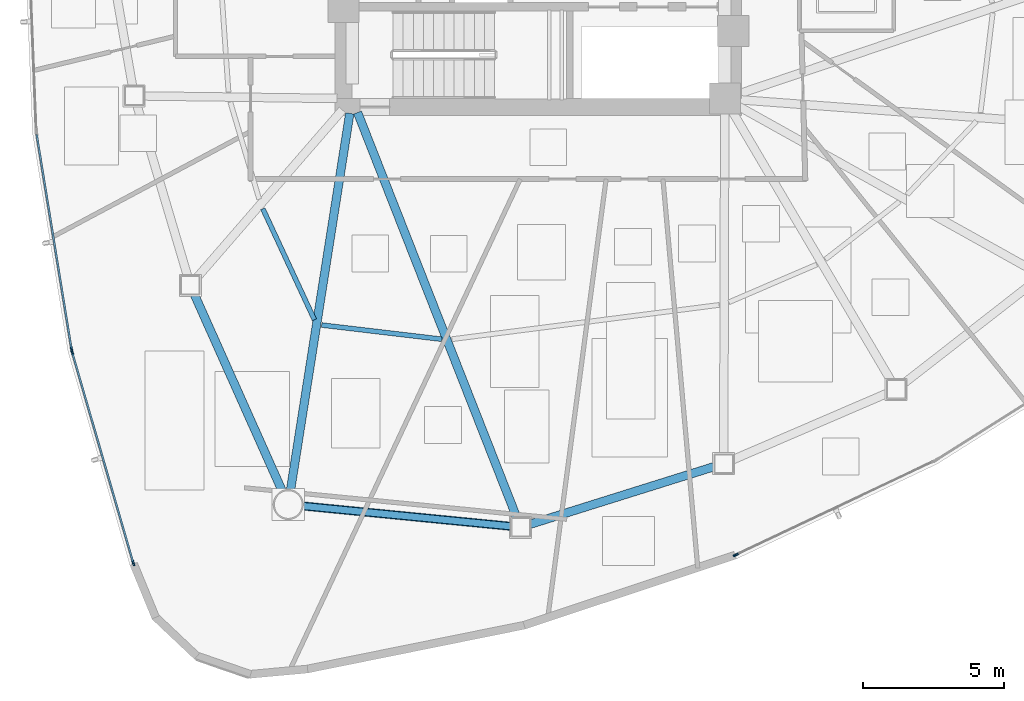
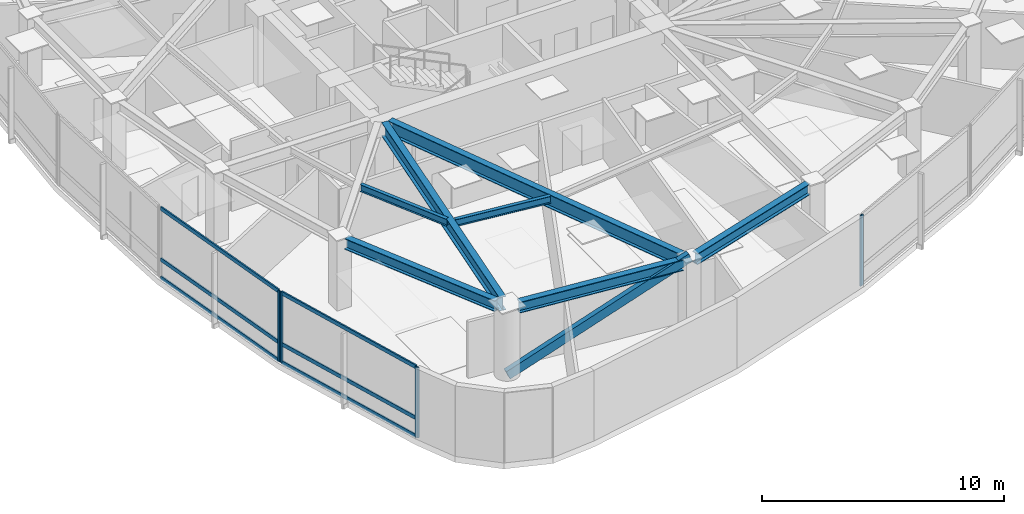
# One storey, part 2 of 17: 11 members, 7 beams, 3 elements without a shape of their own.
"""IFC4 building model written with IfcOpenShell, lengths in metres."""

import ifcopenshell
import ifcopenshell.guid

model = None  # the IFC model being written
_history = None  # IfcOwnerHistory: only IFC2X3 demands one
_inside = {}  # id of a spatial element -> (the spatial element, [elements in it])
_under = {}  # id of a project, library or spatial element -> (it, [spatial elements below it])
_declared = {}  # id of a project -> (the project, [libraries it declares])
_typed = {}  # id of a type object -> (the type object, [elements of that type])
_made_of = {}  # id of a material, layer set ... -> (it, [elements and type objects made of it])


def new_model(schema):
    """Start an empty IFC model of exactly this schema.

    Asked for "IFC4X3", IfcOpenShell would pick the latest addendum, in which some entities
    have other attributes; the version numbers below select the first issue.
    IFC2X3 requires an IfcOwnerHistory on every rooted entity: one is made here for all.
    """
    global model, _history
    if schema == "IFC4X3":
        model = ifcopenshell.file(schema_version=(4, 3, 0, 0))
    else:
        model = ifcopenshell.file(schema=schema)
    _inside.clear()
    _under.clear()
    _declared.clear()
    _typed.clear()
    _made_of.clear()
    _history = None
    if model.schema == "IFC2X3":
        org = make("IfcOrganization", Name="unknown")
        user = make(
            "IfcPersonAndOrganization",
            ThePerson=make("IfcPerson", FamilyName="unknown"),
            TheOrganization=org,
        )
        app = make(
            "IfcApplication",
            ApplicationDeveloper=org,
            Version="unknown",
            ApplicationFullName="unknown",
            ApplicationIdentifier="unknown",
        )
        _history = make(
            "IfcOwnerHistory",
            OwningUser=user,
            OwningApplication=app,
            ChangeAction="ADDED",
            CreationDate=0,
        )
    return model


def make(cls, **values):
    """One entity of the class cls with the attributes given. An attribute that is None is left unset."""
    return model.create_entity(
        cls, **{name: value for name, value in values.items() if value is not None}
    )


def rooted(cls, **values):
    """An entity with a GlobalId (a new one), such as an element, a storey or a relation."""
    return make(cls, GlobalId=ifcopenshell.guid.new(), OwnerHistory=_history, **values)


def si_unit(unit_type, name, prefix=None):
    """IfcSIUnit, for example si_unit("LENGTHUNIT", "METRE", prefix="MILLI")."""
    return make("IfcSIUnit", UnitType=unit_type, Prefix=prefix, Name=name)


def assignment(units):
    """IfcUnitAssignment: the units of a project."""
    return None if units is None else make("IfcUnitAssignment", Units=units)


def point(xyz):
    """IfcCartesianPoint."""
    return None if xyz is None else make("IfcCartesianPoint", Coordinates=xyz)


def direction(xyz):
    """IfcDirection."""
    return None if xyz is None else make("IfcDirection", DirectionRatios=xyz)


def frame(location, z_axis=None, x_axis=None):
    """IfcAxis2Placement3D, a coordinate frame: its origin and axes. An axis left out is left unset."""
    return make(
        "IfcAxis2Placement3D",
        Location=point(location),
        Axis=direction(z_axis),
        RefDirection=direction(x_axis),
    )


def frame_2d(location, x_axis=None):
    """IfcAxis2Placement2D, a coordinate frame in the plane: its origin and x axis."""
    return make(
        "IfcAxis2Placement2D", Location=point(location), RefDirection=direction(x_axis)
    )


def origin():
    """The frame at (0, 0, 0) with its axes left unset."""
    return frame((0.0, 0.0, 0.0))


def origin_2d():
    """The frame at (0, 0) in the plane with its x axis left unset."""
    return frame_2d((0.0, 0.0))


def place(relative_to, where):
    """IfcLocalPlacement: puts the frame where relative to a parent placement (None: the world)."""
    return make(
        "IfcLocalPlacement", PlacementRelTo=relative_to, RelativePlacement=where
    )


def context(
    kind, dimensions, precision=None, world=None, true_north=None, identifier=None
):
    """IfcGeometricRepresentationContext, for example the 3D "Model" context."""
    return make(
        "IfcGeometricRepresentationContext",
        ContextIdentifier=identifier,
        ContextType=kind,
        CoordinateSpaceDimension=dimensions,
        Precision=precision,
        WorldCoordinateSystem=world,
        TrueNorth=true_north,
    )


def subcontext(parent, identifier, kind, view, scale=None):
    """IfcGeometricRepresentationSubContext, for example "Body" below "Model"."""
    return make(
        "IfcGeometricRepresentationSubContext",
        ContextIdentifier=identifier,
        ContextType=kind,
        ParentContext=parent,
        TargetScale=scale,
        TargetView=view,
    )


def project(units=None, contexts=None):
    """IfcProject with its units and contexts."""
    return rooted(
        "IfcProject",
        Name="project",
        RepresentationContexts=contexts,
        UnitsInContext=assignment(units),
    )


def spatial(cls, under=None, at=None, **own):
    """A site, building, storey or space (cls), placed at a placement, below another one or the project."""
    s = rooted(cls, ObjectPlacement=at, **own)
    if under is not None:
        _under.setdefault(under.id(), (under, []))[1].append(s)
    return s


def profile(cls, at=None, kind="AREA", **sizes):
    """A parametric profile (cls). Its sizes go by their IFC names, for example OverallWidth=200.0."""
    return make(cls, ProfileType=kind, Position=at, **sizes)


def hollow_rectangle(**sizes):
    """IfcRectangleHollowProfileDef."""
    return profile("IfcRectangleHollowProfileDef", **sizes)


def i_section(**sizes):
    """IfcIShapeProfileDef."""
    return profile("IfcIShapeProfileDef", **sizes)


def extrude(swept, where, along, depth):
    """IfcExtrudedAreaSolid: the profile swept, set in the frame where, extruded along a direction by depth."""
    return make(
        "IfcExtrudedAreaSolid",
        SweptArea=swept,
        Position=where,
        ExtrudedDirection=direction(along),
        Depth=depth,
    )


def shape(context_of_items, identifier, shape_type, items):
    """IfcShapeRepresentation: the items that make up one representation, for example the "Body"."""
    return make(
        "IfcShapeRepresentation",
        ContextOfItems=context_of_items,
        RepresentationIdentifier=identifier,
        RepresentationType=shape_type,
        Items=items,
    )


def source(mapping_origin, context_of_items, identifier, shape_type, items):
    """IfcRepresentationMap: a shape defined once, which mapped items show again and again."""
    return make(
        "IfcRepresentationMap",
        MappingOrigin=mapping_origin,
        MappedRepresentation=shape(context_of_items, identifier, shape_type, items),
    )


def transform(
    local_origin,
    x_axis=None,
    y_axis=None,
    z_axis=None,
    scale=None,
    scale2=None,
    scale3=None,
    uniform=True,
):
    """IfcCartesianTransformationOperator3D, or its non-uniform kind. x_axis, y_axis, z_axis: its Axis1, 2, 3."""
    if uniform:
        return make(
            "IfcCartesianTransformationOperator3D",
            Axis1=direction(x_axis),
            Axis2=direction(y_axis),
            LocalOrigin=point(local_origin),
            Scale=scale,
            Axis3=direction(z_axis),
        )
    return make(
        "IfcCartesianTransformationOperator3DnonUniform",
        Axis1=direction(x_axis),
        Axis2=direction(y_axis),
        LocalOrigin=point(local_origin),
        Scale=scale,
        Axis3=direction(z_axis),
        Scale2=scale2,
        Scale3=scale3,
    )


def mapped(mapping_source, mapping_target):
    """IfcMappedItem: shows the shape of a source again, moved by a transform."""
    return make(
        "IfcMappedItem", MappingSource=mapping_source, MappingTarget=mapping_target
    )


def material(Name=None, Category=None):
    """IfcMaterial."""
    return make("IfcMaterial", Name=Name, Category=Category)


def layer(
    of_material, thickness, ventilated=None, Name=None, Category=None, Priority=None
):
    """IfcMaterialLayer: one layer of a wall or slab, of a material (None: an air gap)."""
    return make(
        "IfcMaterialLayer",
        Material=of_material,
        LayerThickness=thickness,
        IsVentilated=ventilated,
        Name=Name,
        Category=Category,
        Priority=Priority,
    )


def layer_set(layers, Name=None):
    """IfcMaterialLayerSet."""
    return make("IfcMaterialLayerSet", MaterialLayers=layers, LayerSetName=Name)


def material_profile(
    of_material, cross_section, Name=None, Category=None, Priority=None
):
    """IfcMaterialProfile: a cross section and its material."""
    return make(
        "IfcMaterialProfile",
        Name=Name,
        Material=of_material,
        Profile=cross_section,
        Priority=Priority,
        Category=Category,
    )


def profile_set(profiles, Name=None, composite=None):
    """IfcMaterialProfileSet."""
    return make(
        "IfcMaterialProfileSet",
        Name=Name,
        MaterialProfiles=profiles,
        CompositeProfile=composite,
    )


def made_of(thing, what):
    """Note that an element or type object is made of a material, layer set ...; save() writes the relation."""
    if what is not None:
        _made_of.setdefault(what.id(), (what, []))[1].append(thing)
    return thing


def type_object(cls, material=None, **own):
    """A type object (cls), such as IfcWallType, which elements share."""
    return made_of(rooted(cls, **own), material)


def type_shapes(of_type, sources):
    """Give a type object the sources (RepresentationMaps) that its elements show as mapped items."""
    of_type.RepresentationMaps = sources


def element(
    cls,
    number,
    at=None,
    inside=None,
    cuts=None,
    type_object=None,
    material=None,
    context=None,
    identifier="Body",
    shape_type=None,
    held_by="IfcProductDefinitionShape",
    body=None,
    shapes=None,
    **own,
):
    """One element of the class cls, such as IfcWall. Its Tag is "e" and its number.

    at: its placement. inside: the storey or other place that contains it. cuts: it is an
    opening in that element (IfcRelVoidsElement). A single representation is given by context,
    identifier, shape_type and body (its items); several are given by shapes. held_by: the class
    of the entity that holds the representations. save() writes the other relations.
    """
    e = rooted(cls, Tag="e%d" % number, ObjectPlacement=at, **own)
    if body is not None:
        shapes = [shape(context, identifier, shape_type, body)]
    if shapes is not None:
        e.Representation = make(held_by, Representations=shapes)
    if inside is not None:
        _inside.setdefault(inside.id(), (inside, []))[1].append(e)
    if cuts is not None:
        rooted(
            "IfcRelVoidsElement", RelatingBuildingElement=cuts, RelatedOpeningElement=e
        )
    if type_object is not None:
        _typed.setdefault(type_object.id(), (type_object, []))[1].append(e)
    return made_of(e, material)


def aggregate(whole, parts):
    """IfcRelAggregates: a whole, such as a stair, and the parts it consists of."""
    return rooted("IfcRelAggregates", RelatingObject=whole, RelatedObjects=parts)


def save(model, path):
    """Write the relations noted so far, then the file.

    IfcRelAggregates (storeys below a building ...), IfcRelContainedInSpatialStructure (elements
    in a storey), IfcRelDefinesByType, IfcRelAssociatesMaterial and IfcRelDeclares: one each for
    every whole, place, type object, material and project.
    """
    for whole, parts in _under.values():
        aggregate(whole, parts)
    for where, things in _inside.values():
        rooted(
            "IfcRelContainedInSpatialStructure",
            RelatedElements=things,
            RelatingStructure=where,
        )
    for kind, things in _typed.values():
        rooted("IfcRelDefinesByType", RelatedObjects=things, RelatingType=kind)
    for what, things in _made_of.values():
        rooted("IfcRelAssociatesMaterial", RelatedObjects=things, RelatingMaterial=what)
    for by, libraries in _declared.values():
        rooted("IfcRelDeclares", RelatingContext=by, RelatedDefinitions=libraries)
    model.write(path)


model = new_model("IFC4")

# Units and contexts
model_context = context("Model", 3, precision=1e-05, world=origin(), true_north=direction((0.0, 1.0)))
body_context = subcontext(model_context, "Body", "Model", "MODEL_VIEW")
ifc_project = project(units=[si_unit("LENGTHUNIT", "METRE"), si_unit("AREAUNIT", "SQUARE_METRE"), si_unit("VOLUMEUNIT", "CUBIC_METRE"), si_unit("PLANEANGLEUNIT", "RADIAN"), si_unit("MASSUNIT", "GRAM", prefix="KILO")], contexts=[model_context])

# Site, building, storey
site_placement = place(None, origin())
site = spatial("IfcSite", under=ifc_project, at=site_placement, CompositionType="ELEMENT")
building_placement = place(site_placement, origin())
building = spatial("IfcBuilding", under=site, at=building_placement, Name="Tavelor Broadcast Tower", CompositionType="ELEMENT")
storey_placement = place(building_placement, frame((0.0, 0.0, 154.10009765625)))
storey = spatial("IfcBuildingStorey", under=building, at=storey_placement, Name="L36", CompositionType="ELEMENT", Elevation=154.10009765625)

# Beams
ifc_material_1 = material(Name="Steel S355", Category="steel")
ifc_material_profile_1 = material_profile(ifc_material_1, i_section(OverallWidth=0.169921875, OverallDepth=0.360107421875, WebThickness=0.008056640625, FlangeThickness=0.0126953125, at=origin_2d()), Name="IPE 360")
ifc_profile_set_1 = profile_set([ifc_material_profile_1], Name="Steel S355")
beam_type_1 = type_object("IfcBeamType", Name="Composite Floor Joist T3 IPE 360", PredefinedType="JOIST", material=ifc_profile_set_1)
beam_1_placement = place(storey_placement, frame((40.237548828125, 34.901123046875, 3.369873046875), z_axis=(0.421480014114, -0.906837690936, 0.0), x_axis=(0.906837690936, 0.421480014114, 0.0)))
element("IfcBeam", 1, at=beam_1_placement, inside=storey, type_object=beam_type_1, Name="L36 Secondary Composite Floor Joist 06", PredefinedType="JOIST", context=body_context, shape_type="SweptSolid", body=[
    extrude(i_section(OverallWidth=0.169921875, OverallDepth=0.360107421875, WebThickness=0.008056640625, FlangeThickness=0.0126953125, at=origin_2d()), origin(), (0.0, 0.0, 1.0), 4.337890625),
])
beam_2_placement = place(storey_placement, frame((42.32177734375, 30.781982421875, 3.369873046875), z_axis=(0.993083165759, -0.117413056713, 0.0), x_axis=(0.117413056713, 0.993083165759, 0.0)))
element("IfcBeam", 2, at=beam_2_placement, inside=storey, type_object=beam_type_1, Name="L36 Secondary Composite Floor Joist 07", PredefinedType="JOIST", context=body_context, shape_type="SweptSolid", body=[
    extrude(i_section(OverallWidth=0.169921875, OverallDepth=0.360107421875, WebThickness=0.008056640625, FlangeThickness=0.0126953125, at=origin_2d()), origin(), (0.0, 0.0, 1.0), 4.285400390625),
])
ifc_material_profile_2 = material_profile(ifc_material_1, i_section(OverallWidth=0.300048828125, OverallDepth=0.550048828125, WebThickness=0.014892578125, FlangeThickness=0.029052734375, at=origin_2d()), Name="HEB 550")
ifc_profile_set_2 = profile_set([ifc_material_profile_2], Name="Steel S355")
beam_type_2 = type_object("IfcBeamType", Name="Perimeter Spandrel Beam T3 HEB 550", PredefinedType="SPANDREL", material=ifc_profile_set_2)
beam_3_placement = place(storey_placement, frame((37.80517578125, 31.883544921875, 3.27490234375), z_axis=(0.407977377403, -0.912992036946, 0.0), x_axis=(0.912992036946, 0.407977377403, 0.0)))
element("IfcBeam", 3, at=beam_3_placement, inside=storey, type_object=beam_type_2, Name="L36 Framed-Tube Ring Spandrel 06", PredefinedType="SPANDREL", context=body_context, shape_type="SweptSolid", body=[
    extrude(i_section(OverallWidth=0.300048828125, OverallDepth=0.550048828125, WebThickness=0.014892578125, FlangeThickness=0.029052734375, at=origin_2d()), origin(), (0.0, 0.0, 1.0), 7.658447265625),
])
beam_4_placement = place(storey_placement, frame((41.6484375, 24.373779296875, 3.27490234375), z_axis=(0.995250868203, -0.097343255237, 0.0), x_axis=(0.097343255237, 0.995250868203, 0.0)))
element("IfcBeam", 4, at=beam_4_placement, inside=storey, type_object=beam_type_2, Name="L36 Framed-Tube Ring Spandrel 07", PredefinedType="SPANDREL", context=body_context, shape_type="SweptSolid", body=[
    extrude(i_section(OverallWidth=0.300048828125, OverallDepth=0.550048828125, WebThickness=0.014892578125, FlangeThickness=0.029052734375, at=origin_2d()), origin(), (0.0, 0.0, 1.0), 7.418701171875),
])
beam_5_placement = place(storey_placement, frame((49.68701171875, 23.719482421875, 3.27490234375), z_axis=(0.954271632066, 0.29894088418, 0.0), x_axis=(-0.29894088418, 0.954271632066, 0.0)))
element("IfcBeam", 5, at=beam_5_placement, inside=storey, type_object=beam_type_2, Name="L36 Framed-Tube Ring Spandrel 08", PredefinedType="SPANDREL", context=body_context, shape_type="SweptSolid", body=[
    extrude(i_section(OverallWidth=0.300048828125, OverallDepth=0.550048828125, WebThickness=0.014892578125, FlangeThickness=0.029052734375, at=origin_2d()), origin(), (0.0, 0.0, 1.0), 6.867431640625),
])

# Member
ifc_material_profile_3 = material_profile(ifc_material_1, hollow_rectangle(XDim=0.25, YDim=0.449951171875, WallThickness=0.02001953125, at=origin_2d()), Name="RHS 450x250x20")
ifc_profile_set_3 = profile_set([ifc_material_profile_3], Name="Steel S355")
member_type_1 = type_object("IfcMemberType", Name="Perimeter Tube Brace T3 RHS 450x250x20", PredefinedType="BRACE", material=ifc_profile_set_3)
member_1_placement = place(storey_placement, frame((41.138671875, 24.423828125, 0.0), z_axis=(0.914506155646, -0.089466983032, 0.394555636423), x_axis=(0.097366094377, 0.995248634094, 0.0)))
element("IfcMember", 6, at=member_1_placement, inside=storey, type_object=member_type_1, Name="L36 Corner Tube Diagonal Brace 2", PredefinedType="BRACE", context=body_context, shape_type="SweptSolid", body=[
    extrude(hollow_rectangle(XDim=0.25, YDim=0.449951171875, WallThickness=0.02001953125, at=origin_2d()), origin(), (0.0, 0.0, 1.0), 8.9970703125),
])

# Beams
ifc_material_profile_4 = material_profile(ifc_material_1, i_section(OverallWidth=0.300048828125, OverallDepth=0.68994140625, WebThickness=0.014404296875, FlangeThickness=0.027099609375, at=origin_2d()), Name="HEA 700")
ifc_profile_set_4 = profile_set([ifc_material_profile_4], Name="Steel S355")
beam_type_3 = type_object("IfcBeamType", Name="Radial Floor Girder T3 HEA 700", PredefinedType="BEAM", material=ifc_profile_set_4)
beam_6_placement = place(storey_placement, frame((43.318115234375, 38.2783203125, 3.204833984375), z_axis=(-0.1553975273, -0.987852017515, 0.0), x_axis=(0.987852017515, -0.1553975273, 0.0)))
element("IfcBeam", 7, at=beam_6_placement, inside=storey, type_object=beam_type_3, Name="L36 Radial Primary Floor Girder 07", PredefinedType="BEAM", context=body_context, shape_type="SweptSolid", body=[
    extrude(i_section(OverallWidth=0.300048828125, OverallDepth=0.68994140625, WebThickness=0.014404296875, FlangeThickness=0.027099609375, at=origin_2d()), origin(), (0.0, 0.0, 1.0), 13.5126953125),
])
beam_7_placement = place(storey_placement, frame((43.593017578125, 38.30859375, 3.204833984375), z_axis=(0.365795149989, -0.930695389612, 0.0), x_axis=(0.930695389612, 0.365795149989, 0.0)))
element("IfcBeam", 8, at=beam_7_placement, inside=storey, type_object=beam_type_3, Name="L36 Radial Primary Floor Girder 08", PredefinedType="BEAM", context=body_context, shape_type="SweptSolid", body=[
    extrude(i_section(OverallWidth=0.300048828125, OverallDepth=0.68994140625, WebThickness=0.014404296875, FlangeThickness=0.027099609375, at=origin_2d()), origin(), (0.0, 0.0, 1.0), 15.447509765625),
])

# Curtain wall, member
ifc_material_2 = material(Name="Architectural Anodized Aluminium", Category="aluminium")
ifc_layer = layer(ifc_material_2, 0.18994140625)
ifc_layer_set = layer_set([ifc_layer], Name="Architectural Anodized Aluminium")
curtain_wall_type = type_object("IfcCurtainWallType", Name="Tower Mid-Zone Acoustic Curtain Wall CW03", PredefinedType="NOTDEFINED", material=ifc_layer_set)
curtain_wall_1_placement = place(storey_placement, origin())
curtain_wall_1 = element("IfcCurtainWall", 9, at=curtain_wall_1_placement, inside=storey, type_object=curtain_wall_type, Name="L36 Curtain Wall CW03 Run 375", PredefinedType="NOTDEFINED")
ifc_material_profile_5 = material_profile(ifc_material_2, hollow_rectangle(XDim=0.068115234375, YDim=0.18994140625, WallThickness=0.02197265625, at=origin_2d()), Name="RHS 68x190x22")
ifc_profile_set_5 = profile_set([ifc_material_profile_5], Name="Architectural Anodized Aluminium")
member_type_2 = type_object("IfcMemberType", Name="CW03 Extruded Aluminium Mullion 68x190", PredefinedType="MULLION", material=ifc_profile_set_5)
shared_shape_1 = source(origin(), body_context, "Body", "SweptSolid", [
    extrude(hollow_rectangle(XDim=0.068115234375, YDim=0.18994140625, WallThickness=0.02197265625, at=origin_2d()), origin(), (0.0, 0.0, 1.0), 3.5498046875),
])
type_shapes(member_type_2, [shared_shape_1])
member_2_placement = place(storey_placement, frame((33.46533203125, 29.90771484375, 0.0), z_axis=(0.0, 0.0, 1.0), x_axis=(0.987065863091, 0.160315257914, 0.0)))
member_2 = element("IfcMember", 10, at=member_2_placement, type_object=member_type_2, Name="CW03 mullion 2", PredefinedType="MULLION", context=body_context, shape_type="MappedRepresentation", body=[
    mapped(shared_shape_1, transform((0.0, 0.0, 0.0), scale=1.0)),
])

# Curtain wall, members
curtain_wall_2_placement = place(storey_placement, origin())
curtain_wall_2 = element("IfcCurtainWall", 11, at=curtain_wall_2_placement, inside=storey, type_object=curtain_wall_type, Name="L36 Curtain Wall CW03 Run 376", PredefinedType="NOTDEFINED")
member_3_placement = place(storey_placement, frame((33.487060546875, 29.812255859375, 0.0), z_axis=(0.0, 0.0, 1.0), x_axis=(0.960406267101, 0.278603305999, 0.0)))
member_3 = element("IfcMember", 12, at=member_3_placement, type_object=member_type_2, Name="CW03 mullion 1", PredefinedType="MULLION", context=body_context, shape_type="MappedRepresentation", body=[
    mapped(shared_shape_1, transform((0.0, 0.0, 0.0), scale=1.0)),
])
member_4_placement = place(storey_placement, frame((35.651611328125, 22.3505859375, 0.0), z_axis=(0.0, 0.0, 1.0), x_axis=(0.960406267101, 0.278603305999, 0.0)))
member_4 = element("IfcMember", 13, at=member_4_placement, type_object=member_type_2, Name="CW03 mullion 2", PredefinedType="MULLION", context=body_context, shape_type="MappedRepresentation", body=[
    mapped(shared_shape_1, transform((0.0, 0.0, 0.0), scale=1.0)),
])

# Curtain wall, member
curtain_wall_3_placement = place(storey_placement, origin())
curtain_wall_3 = element("IfcCurtainWall", 14, at=curtain_wall_3_placement, inside=storey, type_object=curtain_wall_type, Name="L36 Curtain Wall CW03 Run 377", PredefinedType="NOTDEFINED")
member_5_placement = place(storey_placement, frame((56.98876953125, 22.638427734375, 0.0), z_axis=(0.0, 0.0, 1.0), x_axis=(-0.427742926326, 0.903900430898, 0.0)))
member_5 = element("IfcMember", 15, at=member_5_placement, type_object=member_type_2, Name="CW03 mullion 1", PredefinedType="MULLION", context=body_context, shape_type="MappedRepresentation", body=[
    mapped(shared_shape_1, transform((0.0, 0.0, 0.0), scale=1.0)),
])
aggregate(curtain_wall_3, [member_5])

# Member
ifc_material_profile_6 = material_profile(ifc_material_2, hollow_rectangle(XDim=0.068115234375, YDim=0.18994140625, WallThickness=0.02197265625, at=origin_2d()), Name="RHS 68x190x22")
ifc_profile_set_6 = profile_set([ifc_material_profile_6], Name="Architectural Anodized Aluminium")
member_type_3 = type_object("IfcMemberType", Name="CW03 Extruded Aluminium Transom 68x190", PredefinedType="USERDEFINED", material=ifc_profile_set_6)
shared_shape_2 = source(origin(), body_context, "Body", "SweptSolid", [
    extrude(hollow_rectangle(XDim=0.068115234375, YDim=0.18994140625, WallThickness=0.02197265625, at=origin_2d()), origin(), (0.0, 0.0, 1.0), 7.685546875),
])
member_6_placement = place(storey_placement, frame((32.227783203125, 37.52734375, 0.033935546875), z_axis=(0.160322952515, -0.987064613334, 0.0), x_axis=(0.987064613334, 0.160322952515, 0.0)))
member_6 = element("IfcMember", 16, at=member_6_placement, type_object=member_type_3, Name="CW03 transom 1.1", ObjectType="TRANSOM", PredefinedType="USERDEFINED", context=body_context, shape_type="MappedRepresentation", body=[
    mapped(shared_shape_2, transform((0.0, 0.0, 0.0), scale=1.0)),
])

member_7_placement = place(storey_placement, frame((32.227783203125, 37.52734375, 0.949951171875), z_axis=(0.160322952515, -0.987064613334, 0.0), x_axis=(0.987064613334, 0.160322952515, 0.0)))
member_7 = element("IfcMember", 17, at=member_7_placement, type_object=member_type_3, Name="CW03 transom 1.2", ObjectType="TRANSOM", PredefinedType="USERDEFINED", context=body_context, shape_type="MappedRepresentation", body=[
    mapped(shared_shape_2, transform((0.0, 0.0, 0.0), scale=1.0)),
])

member_8_placement = place(storey_placement, frame((32.227783203125, 37.52734375, 3.515869140625), z_axis=(0.160322952515, -0.987064613334, 0.0), x_axis=(0.987064613334, 0.160322952515, 0.0)))
member_8 = element("IfcMember", 18, at=member_8_placement, type_object=member_type_3, Name="CW03 transom 1.3", ObjectType="TRANSOM", PredefinedType="USERDEFINED", context=body_context, shape_type="MappedRepresentation", body=[
    mapped(shared_shape_2, transform((0.0, 0.0, 0.0), scale=1.0)),
])

aggregate(curtain_wall_1, [member_2, member_6, member_7, member_8])

shared_shape_3 = source(origin(), body_context, "Body", "SweptSolid", [
    extrude(hollow_rectangle(XDim=0.068115234375, YDim=0.18994140625, WallThickness=0.02197265625, at=origin_2d()), origin(), (0.0, 0.0, 1.0), 7.701171875),
])
type_shapes(member_type_3, [shared_shape_2, shared_shape_3])
member_9_placement = place(storey_placement, frame((33.496337890625, 29.779541015625, 0.033935546875), z_axis=(0.278625334706, -0.960399876541, 0.0), x_axis=(0.960399876541, 0.278625334706, 0.0)))
member_9 = element("IfcMember", 19, at=member_9_placement, type_object=member_type_3, Name="CW03 transom 1.1", ObjectType="TRANSOM", PredefinedType="USERDEFINED", context=body_context, shape_type="MappedRepresentation", body=[
    mapped(shared_shape_3, transform((0.0, 0.0, 0.0), scale=1.0)),
])

member_10_placement = place(storey_placement, frame((33.496337890625, 29.779541015625, 0.949951171875), z_axis=(0.278625334706, -0.960399876541, 0.0), x_axis=(0.960399876541, 0.278625334706, 0.0)))
member_10 = element("IfcMember", 20, at=member_10_placement, type_object=member_type_3, Name="CW03 transom 1.2", ObjectType="TRANSOM", PredefinedType="USERDEFINED", context=body_context, shape_type="MappedRepresentation", body=[
    mapped(shared_shape_3, transform((0.0, 0.0, 0.0), scale=1.0)),
])

member_11_placement = place(storey_placement, frame((33.496337890625, 29.779541015625, 3.515869140625), z_axis=(0.278625334706, -0.960399876541, 0.0), x_axis=(0.960399876541, 0.278625334706, 0.0)))
member_11 = element("IfcMember", 21, at=member_11_placement, type_object=member_type_3, Name="CW03 transom 1.3", ObjectType="TRANSOM", PredefinedType="USERDEFINED", context=body_context, shape_type="MappedRepresentation", body=[
    mapped(shared_shape_3, transform((0.0, 0.0, 0.0), scale=1.0)),
])

aggregate(curtain_wall_2, [member_3, member_4, member_9, member_10, member_11])

save(model, "model.ifc")
